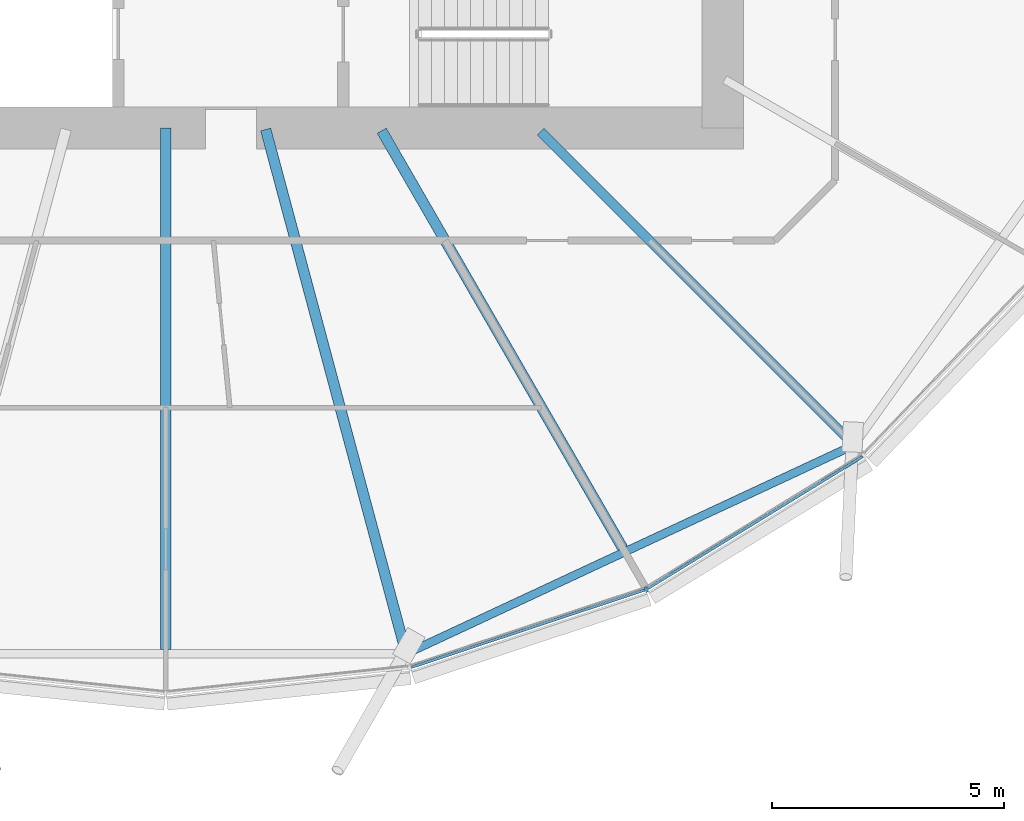
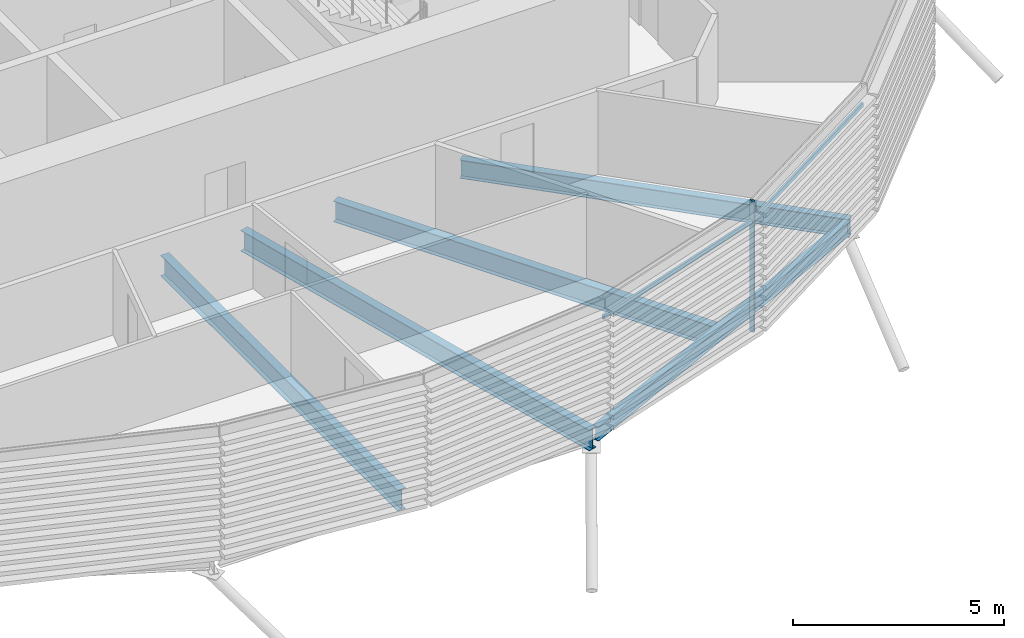
# One storey, part 4 of 38: 5 beams, 3 members, 1 element without a shape of its own.
"""IFC4 building model written with IfcOpenShell, lengths in metres."""

from ifc_helpers import new_model, si_unit, direction, frame, origin, origin_2d, place, context, subcontext, project, spatial, rectangle, i_section, extrude, material, material_profile, profile_set, type_object, element, aggregate, save


model = new_model("IFC4")

# Units and contexts
model_context = context("Model", 3, precision=1e-05, world=origin(), true_north=direction((0.0, 1.0)))
body_context = subcontext(model_context, "Body", "Model", "MODEL_VIEW")
ifc_project = project(units=[si_unit("LENGTHUNIT", "METRE"), si_unit("AREAUNIT", "SQUARE_METRE"), si_unit("VOLUMEUNIT", "CUBIC_METRE"), si_unit("PLANEANGLEUNIT", "RADIAN"), si_unit("MASSUNIT", "GRAM", prefix="KILO")], contexts=[model_context])

# Site, building, storey
site_placement = place(None, origin())
site = spatial("IfcSite", under=ifc_project, at=site_placement, CompositionType="ELEMENT")
building_placement = place(site_placement, origin())
building = spatial("IfcBuilding", under=site, at=building_placement, Name="Rimbun Link Towers", CompositionType="ELEMENT")
storey_placement = place(building_placement, frame((0.0, 0.0, 49.0)))
storey = spatial("IfcBuildingStorey", under=building, at=storey_placement, Name="L11", CompositionType="ELEMENT", Elevation=49.0)

# Curtain wall, members
ifc_material_1 = material(Name="Aluminium 6063-T6 and low-iron glass", Category="aluminium")
curtain_wall_type = type_object("IfcCurtainWallType", Name="CW1 unitised vision wall", PredefinedType="NOTDEFINED", material=ifc_material_1)
curtain_wall_placement = place(storey_placement, origin())
curtain_wall = element("IfcCurtainWall", 1, at=curtain_wall_placement, inside=storey, type_object=curtain_wall_type, Name="CW1 L11 T1", PredefinedType="NOTDEFINED")
ifc_material_2 = material(Name="Aluminium 6063-T6", Category="aluminium")
ifc_material_profile_1 = material_profile(ifc_material_2, rectangle(XDim=0.1201171875, YDim=0.06005859375, at=origin_2d()), Name="MULLION 60X120")
ifc_profile_set_1 = profile_set([ifc_material_profile_1], Name="Aluminium 6063-T6")
member_type_1 = type_object("IfcMemberType", Name="CW1 mullion 60X120", PredefinedType="MULLION", material=ifc_profile_set_1)
member_1_placement = place(storey_placement, frame((-21.396240234375, -17.944091796875, 0.0), z_axis=(0.0, 0.0, 1.0), x_axis=(0.421700623213, -0.906735123607, 0.0)))
member_1 = element("IfcMember", 2, at=member_1_placement, type_object=member_type_1, Name="CW1 mullion", PredefinedType="MULLION", context=body_context, shape_type="SweptSolid", body=[
    extrude(rectangle(XDim=0.1201171875, YDim=0.06005859375, at=origin_2d()), origin(), (0.0, 0.0, 1.0), 3.800048828125),
])
ifc_material_3 = material(Name="Aluminium 6063-T6", Category="aluminium")
ifc_material_profile_2 = material_profile(ifc_material_3, rectangle(XDim=0.06005859375, YDim=0.1201171875, at=origin_2d()), Name="TRANSOM 60X120")
ifc_profile_set_2 = profile_set([ifc_material_profile_2], Name="Aluminium 6063-T6")
member_type_2 = type_object("IfcMemberType", Name="CW1 transom 60X120", PredefinedType="USERDEFINED", material=ifc_profile_set_2)
member_2_placement = place(storey_placement, frame((-21.431640625, -17.9541015625, 3.199951171875), z_axis=(-0.949239655891, -0.314553772324, 0.0), x_axis=(0.314553772324, -0.949239655891, 0.0)))
member_2 = element("IfcMember", 3, at=member_2_placement, type_object=member_type_2, Name="CW1 transom", ObjectType="TRANSOM", PredefinedType="USERDEFINED", context=body_context, shape_type="SweptSolid", body=[
    extrude(rectangle(XDim=0.06005859375, YDim=0.1201171875, at=origin_2d()), origin(), (0.0, 0.0, 1.0), 5.295654296875),
])
member_3_placement = place(storey_placement, frame((-16.73193359375, -15.078369140625, 3.199951171875), z_axis=(-0.852186680958, -0.523237862543, 0.0), x_axis=(0.523237862543, -0.852186680958, 0.0)))
member_3 = element("IfcMember", 4, at=member_3_placement, type_object=member_type_2, Name="CW1 transom", ObjectType="TRANSOM", PredefinedType="USERDEFINED", context=body_context, shape_type="SweptSolid", body=[
    extrude(rectangle(XDim=0.06005859375, YDim=0.1201171875, at=origin_2d()), origin(), (0.0, 0.0, 1.0), 5.437255859375),
])
aggregate(curtain_wall, [member_1, member_2, member_3])

# Beams
ifc_material_4 = material(Name="Steel S355J2", Category="steel")
ifc_material_profile_3 = material_profile(ifc_material_4, i_section(OverallWidth=0.177978515625, OverallDepth=0.406494140625, WebThickness=0.0078125, FlangeThickness=0.0126953125, at=origin_2d()), Name="UB 406x178x60")
ifc_profile_set_3 = profile_set([ifc_material_profile_3], Name="Steel S355J2")
beam_type_1 = type_object("IfcBeamType", Name="UB 406x178x60", PredefinedType="BEAM", material=ifc_profile_set_3)
beam_1_placement = place(storey_placement, frame((-26.465087890625, -19.280517578125, -0.36328125), z_axis=(0.906398512067, 0.422423646738, 0.0), x_axis=(-0.422423646738, 0.906398512067, 0.0)))
element("IfcBeam", 5, at=beam_1_placement, inside=storey, type_object=beam_type_1, Name="Edge beam T1 L11 19-21", PredefinedType="BEAM", context=body_context, shape_type="SweptSolid", body=[
    extrude(i_section(OverallWidth=0.177978515625, OverallDepth=0.406494140625, WebThickness=0.0078125, FlangeThickness=0.0126953125, at=origin_2d()), origin(), (0.0, 0.0, 1.0), 10.419921875),
])
ifc_material_5 = material(Name="Steel S355J2", Category="steel")
ifc_material_profile_4 = material_profile(ifc_material_5, i_section(OverallWidth=0.209228515625, OverallDepth=0.533203125, WebThickness=0.010009765625, FlangeThickness=0.015625, at=origin_2d()), Name="UB 533x210x92")
ifc_profile_set_4 = profile_set([ifc_material_profile_4], Name="Steel S355J2")
beam_type_2 = type_object("IfcBeamType", Name="UB 533x210x92", PredefinedType="BEAM", material=ifc_profile_set_4)
beam_2_placement = place(storey_placement, frame((-23.67529296875, -8.07470703125, -0.426513671875), z_axis=(0.707106781187, -0.707106781187, 0.0), x_axis=(0.707106781187, 0.707106781187, 0.0)))
element("IfcBeam", 6, at=beam_2_placement, inside=storey, type_object=beam_type_2, Name="Radial beam T1 L11 21", PredefinedType="BEAM", context=body_context, shape_type="SweptSolid", body=[
    extrude(i_section(OverallWidth=0.209228515625, OverallDepth=0.533203125, WebThickness=0.010009765625, FlangeThickness=0.015625, at=origin_2d()), origin(), (0.0, 0.0, 1.0), 9.55517578125),
])
ifc_material_6 = material(Name="Steel S355J2", Category="steel")
ifc_material_profile_5 = material_profile(ifc_material_6, i_section(OverallWidth=0.2275390625, OverallDepth=0.6025390625, WebThickness=0.010498046875, FlangeThickness=0.014892578125, at=origin_2d()), Name="UB 610x229x101")
ifc_profile_set_5 = profile_set([ifc_material_profile_5], Name="Steel S355J2")
beam_type_3 = type_object("IfcBeamType", Name="UB 610x229x101", PredefinedType="BEAM", material=ifc_profile_set_5)
beam_3_placement = place(storey_placement, frame((-31.75, -8.0009765625, -0.461181640625), z_axis=(0.0, -1.0, 0.0), x_axis=(1.0, 0.0, 0.0)))
element("IfcBeam", 7, at=beam_3_placement, inside=storey, type_object=beam_type_3, Name="Radial beam T1 L11 18", PredefinedType="BEAM", context=body_context, shape_type="SweptSolid", body=[
    extrude(i_section(OverallWidth=0.2275390625, OverallDepth=0.6025390625, WebThickness=0.010498046875, FlangeThickness=0.014892578125, at=origin_2d()), origin(), (0.0, 0.0, 1.0), 11.23876953125),
])
beam_4_placement = place(storey_placement, frame((-29.598388671875, -8.030517578125, -0.461181640625), z_axis=(0.258839363348, -0.965920381803, 0.0), x_axis=(0.965920381803, 0.258839363348, 0.0)))
element("IfcBeam", 8, at=beam_4_placement, inside=storey, type_object=beam_type_3, Name="Radial beam T1 L11 19", PredefinedType="BEAM", context=body_context, shape_type="SweptSolid", body=[
    extrude(i_section(OverallWidth=0.2275390625, OverallDepth=0.6025390625, WebThickness=0.010498046875, FlangeThickness=0.014892578125, at=origin_2d()), origin(), (0.0, 0.0, 1.0), 11.69775390625),
])
beam_5_placement = place(storey_placement, frame((-27.097900390625, -8.057861328125, -0.461181640625), z_axis=(0.499998423118, -0.866026314196, 0.0), x_axis=(0.866026314196, 0.499998423118, 0.0)))
element("IfcBeam", 9, at=beam_5_placement, inside=storey, type_object=beam_type_3, Name="Radial beam T1 L11 20", PredefinedType="BEAM", context=body_context, shape_type="SweptSolid", body=[
    extrude(i_section(OverallWidth=0.2275390625, OverallDepth=0.6025390625, WebThickness=0.010498046875, FlangeThickness=0.014892578125, at=origin_2d()), origin(), (0.0, 0.0, 1.0), 10.38916015625),
])

save(model, "model.ifc")
